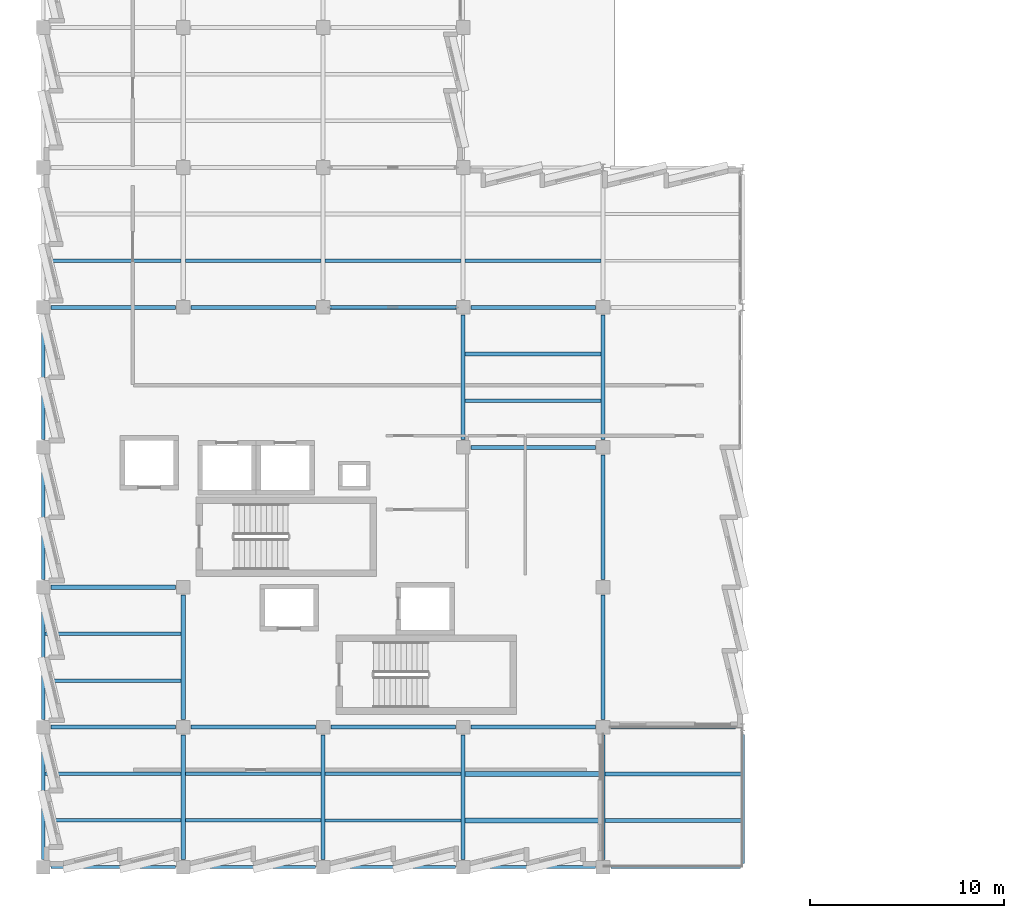
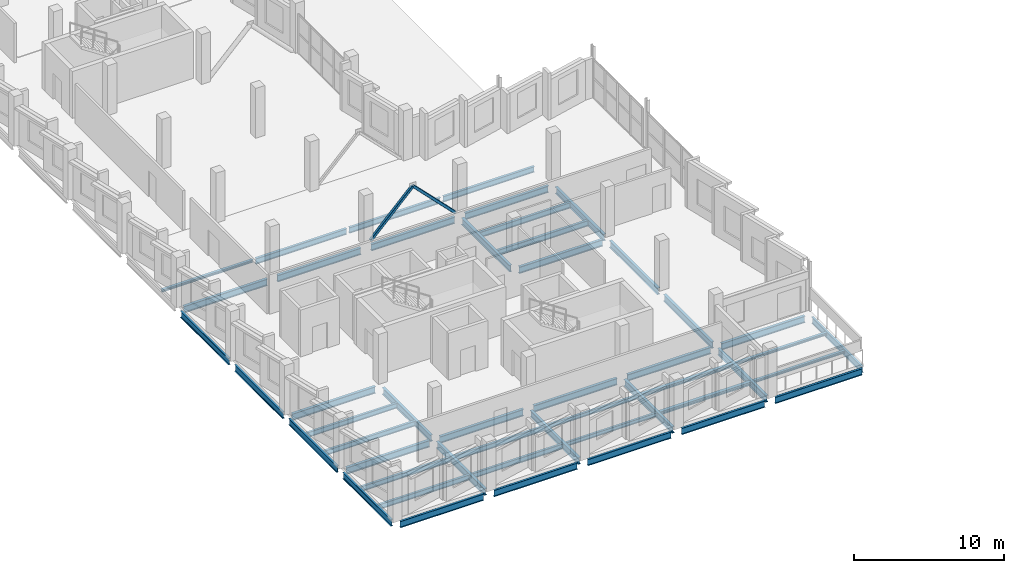
# One storey, part 10 of 38: 48 beams, 2 members.
"""IFC4 building model written with IfcOpenShell, lengths in metres."""

from ifc_helpers import new_model, si_unit, direction, frame, origin, origin_2d, place, context, subcontext, project, spatial, hollow_rectangle, i_section, extrude, material, material_profile, profile_set, type_object, element, save


model = new_model("IFC4")

# Units and contexts
model_context = context("Model", 3, precision=1e-05, world=origin(), true_north=direction((0.0, 1.0)))
body_context = subcontext(model_context, "Body", "Model", "MODEL_VIEW")
ifc_project = project(units=[si_unit("LENGTHUNIT", "METRE"), si_unit("AREAUNIT", "SQUARE_METRE"), si_unit("VOLUMEUNIT", "CUBIC_METRE"), si_unit("PLANEANGLEUNIT", "RADIAN"), si_unit("MASSUNIT", "GRAM", prefix="KILO")], contexts=[model_context])

# Site, building, storey
site_placement = place(None, origin())
site = spatial("IfcSite", under=ifc_project, at=site_placement, CompositionType="ELEMENT")
building_placement = place(site_placement, origin())
building = spatial("IfcBuilding", under=site, at=building_placement, Name="Kalmorath City Hall", CompositionType="ELEMENT")
storey_placement = place(building_placement, frame((0.0, 0.0, 18.89990234375)))
storey = spatial("IfcBuildingStorey", under=building, at=storey_placement, Name="L04", CompositionType="ELEMENT", Elevation=18.89990234375)

# Beams
ifc_material_1 = material(Name="Steel ASTM A992 Grade 50", Category="steel")
ifc_material_profile_1 = material_profile(ifc_material_1, i_section(OverallWidth=0.177001953125, OverallDepth=0.403076171875, WebThickness=0.007568359375, FlangeThickness=0.010986328125, FilletRadius=0.012939453125, at=origin_2d()), Name="W16X36")
ifc_profile_set_1 = profile_set([ifc_material_profile_1], Name="Steel ASTM A992 Grade 50")
beam_type_1 = type_object("IfcBeamType", Name="Steel composite joist W16X36", PredefinedType="JOIST", material=ifc_profile_set_1)
for number, where, z_axis, x_axis, name in (
    (1, (0.08251953125, 9.60009765625, -0.495361328125), (1.0, 0.0, 0.0), (0.0, 1.0, 0.0), "L04 joist SJ7 1.2.1"),
    (2, (0.08251953125, 12.0, -0.495361328125), (1.0, 0.0, 0.0), (0.0, 1.0, 0.0), "L04 joist SJ7 1.2.2"),
):
    element("IfcBeam", number, at=place(storey_placement, frame(where, z_axis=z_axis, x_axis=x_axis)), inside=storey, type_object=beam_type_1, Name=name, PredefinedType="JOIST", context=body_context, shape_type="SweptSolid", body=[
        extrude(i_section(OverallWidth=0.177001953125, OverallDepth=0.403076171875, WebThickness=0.007568359375, FlangeThickness=0.010986328125, FilletRadius=0.012939453125, at=origin_2d()), origin(), (0.0, 0.0, 1.0), 7.011962890625),
    ])
for number, where, z_axis, x_axis, name in (
    (3, (7.305419921875, 2.39990234375, -0.495361328125), (1.0, 0.0, 0.0), (0.0, 1.0, 0.0), "L04 joist SJ7 2.1.1"),
    (4, (7.305419921875, 4.800048828125, -0.495361328125), (1.0, 0.0, 0.0), (0.0, 1.0, 0.0), "L04 joist SJ7 2.1.2"),
):
    element("IfcBeam", number, at=place(storey_placement, frame(where, z_axis=z_axis, x_axis=x_axis)), inside=storey, type_object=beam_type_1, Name=name, PredefinedType="JOIST", context=body_context, shape_type="SweptSolid", body=[
        extrude(i_section(OverallWidth=0.177001953125, OverallDepth=0.403076171875, WebThickness=0.007568359375, FlangeThickness=0.010986328125, FilletRadius=0.012939453125, at=origin_2d()), origin(), (0.0, 0.0, 1.0), 6.989013671875),
    ])
ifc_material_2 = material(Name="Steel ASTM A992 Grade 50", Category="steel")
ifc_material_profile_2 = material_profile(ifc_material_2, i_section(OverallWidth=0.178955078125, OverallDepth=0.409912109375, WebThickness=0.0087890625, FlangeThickness=0.014404296875, FilletRadius=0.012939453125, at=origin_2d()), Name="W16X45")
ifc_profile_set_2 = profile_set([ifc_material_profile_2], Name="Steel ASTM A992 Grade 50")
beam_type_2 = type_object("IfcBeamType", Name="Steel composite joist W16X45", PredefinedType="JOIST", material=ifc_profile_set_2)
for number, where, z_axis, x_axis, name in (
    (5, (0.08251953125, 2.39990234375, -0.4990234375), (1.0, 0.0, 0.0), (0.0, 1.0, 0.0), "L04 joist SJ6 1.1.1"),
    (6, (0.08251953125, 4.800048828125, -0.4990234375), (1.0, 0.0, 0.0), (0.0, 1.0, 0.0), "L04 joist SJ6 1.1.2"),
):
    element("IfcBeam", number, at=place(storey_placement, frame(where, z_axis=z_axis, x_axis=x_axis)), inside=storey, type_object=beam_type_2, Name=name, PredefinedType="JOIST", context=body_context, shape_type="SweptSolid", body=[
        extrude(i_section(OverallWidth=0.178955078125, OverallDepth=0.409912109375, WebThickness=0.0087890625, FlangeThickness=0.014404296875, FilletRadius=0.012939453125, at=origin_2d()), origin(), (0.0, 0.0, 1.0), 7.011962890625),
    ])
ifc_material_3 = material(Name="Steel ASTM A992 Grade 50", Category="steel")
ifc_material_profile_3 = material_profile(ifc_material_3, i_section(OverallWidth=0.19091796875, OverallDepth=0.45703125, WebThickness=0.009033203125, FlangeThickness=0.014404296875, FilletRadius=0.013916015625, at=origin_2d()), Name="W18X50")
ifc_profile_set_3 = profile_set([ifc_material_profile_3], Name="Steel ASTM A992 Grade 50")
beam_type_3 = type_object("IfcBeamType", Name="Steel composite joist W18X50", PredefinedType="JOIST", material=ifc_profile_set_3)
beam_1_placement = place(storey_placement, frame((21.70556640625, 31.199951171875, -0.5224609375), z_axis=(1.0, 0.0, 0.0), x_axis=(0.0, 1.0, 0.0)))
element("IfcBeam", 7, at=beam_1_placement, inside=storey, type_object=beam_type_3, Name="L04 joist SJ3 4.5.1", PredefinedType="JOIST", context=body_context, shape_type="SweptSolid", body=[
    extrude(i_section(OverallWidth=0.19091796875, OverallDepth=0.45703125, WebThickness=0.009033203125, FlangeThickness=0.014404296875, FilletRadius=0.013916015625, at=origin_2d()), origin(), (0.0, 0.0, 1.0), 6.989013671875),
])
ifc_material_4 = material(Name="Steel ASTM A992 Grade 50", Category="steel")
ifc_material_profile_4 = material_profile(ifc_material_4, i_section(OverallWidth=0.19091796875, OverallDepth=0.4599609375, WebThickness=0.010009765625, FlangeThickness=0.01611328125, FilletRadius=0.013916015625, at=origin_2d()), Name="W18X55")
ifc_profile_set_4 = profile_set([ifc_material_profile_4], Name="Steel ASTM A992 Grade 50")
beam_type_4 = type_object("IfcBeamType", Name="Steel composite joist W18X55", PredefinedType="JOIST", material=ifc_profile_set_4)
beam_2_placement = place(storey_placement, frame((14.505615234375, 31.199951171875, -0.52392578125), z_axis=(1.0, 0.0, 0.0), x_axis=(0.0, 1.0, 0.0)))
element("IfcBeam", 8, at=beam_2_placement, inside=storey, type_object=beam_type_4, Name="L04 joist SJ2 3.5.1", PredefinedType="JOIST", context=body_context, shape_type="SweptSolid", body=[
    extrude(i_section(OverallWidth=0.19091796875, OverallDepth=0.4599609375, WebThickness=0.010009765625, FlangeThickness=0.01611328125, FilletRadius=0.013916015625, at=origin_2d()), origin(), (0.0, 0.0, 1.0), 6.98876953125),
])
for number, where, z_axis, x_axis, name in (
    (9, (21.70556640625, 24.0, -0.52392578125), (1.0, 0.0, 0.0), (0.0, 1.0, 0.0), "L04 joist SJ2 4.4.1"),
    (10, (21.70556640625, 26.39990234375, -0.52392578125), (1.0, 0.0, 0.0), (0.0, 1.0, 0.0), "L04 joist SJ2 4.4.2"),
):
    element("IfcBeam", number, at=place(storey_placement, frame(where, z_axis=z_axis, x_axis=x_axis)), inside=storey, type_object=beam_type_4, Name=name, PredefinedType="JOIST", context=body_context, shape_type="SweptSolid", body=[
        extrude(i_section(OverallWidth=0.19091796875, OverallDepth=0.4599609375, WebThickness=0.010009765625, FlangeThickness=0.01611328125, FilletRadius=0.013916015625, at=origin_2d()), origin(), (0.0, 0.0, 1.0), 6.989013671875),
    ])
ifc_material_5 = material(Name="Steel ASTM A992 Grade 50", Category="steel")
ifc_material_profile_5 = material_profile(ifc_material_5, i_section(OverallWidth=0.193115234375, OverallDepth=0.466064453125, WebThickness=0.011474609375, FlangeThickness=0.01904296875, FilletRadius=0.013916015625, at=origin_2d()), Name="W18X65")
ifc_profile_set_5 = profile_set([ifc_material_profile_5], Name="Steel ASTM A992 Grade 50")
beam_type_5 = type_object("IfcBeamType", Name="Steel composite joist W18X65", PredefinedType="JOIST", material=ifc_profile_set_5)
beam_3_placement = place(storey_placement, frame((7.305419921875, 31.199951171875, -0.52685546875), z_axis=(1.0, 0.0, 0.0), x_axis=(0.0, 1.0, 0.0)))
element("IfcBeam", 11, at=beam_3_placement, inside=storey, type_object=beam_type_5, Name="L04 joist SJ1 2.5.1", PredefinedType="JOIST", context=body_context, shape_type="SweptSolid", body=[
    extrude(i_section(OverallWidth=0.193115234375, OverallDepth=0.466064453125, WebThickness=0.011474609375, FlangeThickness=0.01904296875, FilletRadius=0.013916015625, at=origin_2d()), origin(), (0.0, 0.0, 1.0), 6.989013671875),
])
ifc_material_6 = material(Name="Steel ASTM A992 Grade 50", Category="steel")
ifc_material_profile_6 = material_profile(ifc_material_6, i_section(OverallWidth=0.202880859375, OverallDepth=0.202880859375, WebThickness=0.007080078125, FlangeThickness=0.010986328125, FilletRadius=0.010986328125, at=origin_2d()), Name="W8X31")
ifc_profile_set_6 = profile_set([ifc_material_profile_6], Name="Steel ASTM A992 Grade 50")
beam_type_6 = type_object("IfcBeamType", Name="Steel edge trimmer W8X31", PredefinedType="LINTEL", material=ifc_profile_set_6)
for number, where, z_axis, x_axis, name in (
    (12, (0.08251953125, 31.199951171875, -0.3955078125), (1.0, 0.0, 0.0), (0.0, 1.0, 0.0), "L04 joist SJ16 1.5.1"),
    (13, (28.905517578125, 2.39990234375, -0.3955078125), (1.0, 0.0, 0.0), (0.0, 1.0, 0.0), "L04 joist SJ16 5.1.1"),
    (14, (28.905517578125, 4.800048828125, -0.3955078125), (1.0, 0.0, 0.0), (0.0, 1.0, 0.0), "L04 joist SJ16 5.1.2"),
):
    element("IfcBeam", number, at=place(storey_placement, frame(where, z_axis=z_axis, x_axis=x_axis)), inside=storey, type_object=beam_type_6, Name=name, PredefinedType="LINTEL", context=body_context, shape_type="SweptSolid", body=[
        extrude(i_section(OverallWidth=0.202880859375, OverallDepth=0.202880859375, WebThickness=0.007080078125, FlangeThickness=0.010986328125, FilletRadius=0.010986328125, at=origin_2d()), origin(), (0.0, 0.0, 1.0), 7.011962890625),
    ])
ifc_material_7 = material(Name="Steel ASTM A992 Grade 50", Category="steel")
ifc_material_profile_7 = material_profile(ifc_material_7, i_section(OverallWidth=0.2109375, OverallDepth=0.5390625, WebThickness=0.01171875, FlangeThickness=0.018798828125, FilletRadius=0.014892578125, at=origin_2d()), Name="W21X73")
ifc_profile_set_7 = profile_set([ifc_material_profile_7], Name="Steel ASTM A992 Grade 50")
beam_type_7 = type_object("IfcBeamType", Name="Steel floor beam W21X73", PredefinedType="BEAM", material=ifc_profile_set_7)
beam_4_placement = place(storey_placement, frame((0.39990234375, 7.199951171875, -0.5634765625), z_axis=(1.0, 0.0, 0.0), x_axis=(0.0, 1.0, 0.0)))
element("IfcBeam", 15, at=beam_4_placement, inside=storey, type_object=beam_type_7, Name="L04 girder SB1 X1-2/2", PredefinedType="BEAM", context=body_context, shape_type="SweptSolid", body=[
    extrude(i_section(OverallWidth=0.2109375, OverallDepth=0.5390625, WebThickness=0.01171875, FlangeThickness=0.018798828125, FilletRadius=0.014892578125, at=origin_2d()), origin(), (0.0, 0.0, 1.0), 6.400146484375),
])
for number, where, z_axis, x_axis, name in (
    (16, (7.60009765625, 7.199951171875, -0.5634765625), (1.0, 0.0, 0.0), (0.0, 1.0, 0.0), "L04 girder SB1 X2-3/2"),
    (17, (14.800048828125, 7.199951171875, -0.5634765625), (1.0, 0.0, 0.0), (0.0, 1.0, 0.0), "L04 girder SB1 X3-4/2"),
    (18, (22.0, 7.199951171875, -0.5634765625), (1.0, 0.0, 0.0), (0.0, 1.0, 0.0), "L04 girder SB1 X4-5/2"),
):
    element("IfcBeam", number, at=place(storey_placement, frame(where, z_axis=z_axis, x_axis=x_axis)), inside=storey, type_object=beam_type_7, Name=name, PredefinedType="BEAM", context=body_context, shape_type="SweptSolid", body=[
        extrude(i_section(OverallWidth=0.2109375, OverallDepth=0.5390625, WebThickness=0.01171875, FlangeThickness=0.018798828125, FilletRadius=0.014892578125, at=origin_2d()), origin(), (0.0, 0.0, 1.0), 6.39990234375),
    ])
beam_5_placement = place(storey_placement, frame((29.199951171875, 7.199951171875, -0.5634765625), z_axis=(1.0, 0.0, 0.0), x_axis=(0.0, 1.0, 0.0)))
element("IfcBeam", 19, at=beam_5_placement, inside=storey, type_object=beam_type_7, Name="L04 girder SB1 X5-6/2", PredefinedType="BEAM", context=body_context, shape_type="SweptSolid", body=[
    extrude(i_section(OverallWidth=0.2109375, OverallDepth=0.5390625, WebThickness=0.01171875, FlangeThickness=0.018798828125, FilletRadius=0.014892578125, at=origin_2d()), origin(), (0.0, 0.0, 1.0), 6.425048828125),
])
beam_6_placement = place(storey_placement, frame((0.39990234375, 14.39990234375, -0.5634765625), z_axis=(1.0, 0.0, 0.0), x_axis=(0.0, 1.0, 0.0)))
element("IfcBeam", 20, at=beam_6_placement, inside=storey, type_object=beam_type_7, Name="L04 girder SB1 X1-2/3", PredefinedType="BEAM", context=body_context, shape_type="SweptSolid", body=[
    extrude(i_section(OverallWidth=0.2109375, OverallDepth=0.5390625, WebThickness=0.01171875, FlangeThickness=0.018798828125, FilletRadius=0.014892578125, at=origin_2d()), origin(), (0.0, 0.0, 1.0), 6.400146484375),
])
beam_7_placement = place(storey_placement, frame((22.0, 21.60009765625, -0.5634765625), z_axis=(1.0, 0.0, 0.0), x_axis=(0.0, 1.0, 0.0)))
element("IfcBeam", 21, at=beam_7_placement, inside=storey, type_object=beam_type_7, Name="L04 girder SB1 X4-5/4", PredefinedType="BEAM", context=body_context, shape_type="SweptSolid", body=[
    extrude(i_section(OverallWidth=0.2109375, OverallDepth=0.5390625, WebThickness=0.01171875, FlangeThickness=0.018798828125, FilletRadius=0.014892578125, at=origin_2d()), origin(), (0.0, 0.0, 1.0), 6.39990234375),
])
beam_8_placement = place(storey_placement, frame((0.39990234375, 28.800048828125, -0.5634765625), z_axis=(1.0, 0.0, 0.0), x_axis=(0.0, 1.0, 0.0)))
element("IfcBeam", 22, at=beam_8_placement, inside=storey, type_object=beam_type_7, Name="L04 girder SB1 X1-2/5", PredefinedType="BEAM", context=body_context, shape_type="SweptSolid", body=[
    extrude(i_section(OverallWidth=0.2109375, OverallDepth=0.5390625, WebThickness=0.01171875, FlangeThickness=0.018798828125, FilletRadius=0.014892578125, at=origin_2d()), origin(), (0.0, 0.0, 1.0), 6.400146484375),
])
for number, where, z_axis, x_axis, name in (
    (23, (7.60009765625, 28.800048828125, -0.5634765625), (1.0, 0.0, 0.0), (0.0, 1.0, 0.0), "L04 girder SB1 X2-3/5"),
    (24, (14.800048828125, 28.800048828125, -0.5634765625), (1.0, 0.0, 0.0), (0.0, 1.0, 0.0), "L04 girder SB1 X3-4/5"),
    (25, (22.0, 28.800048828125, -0.5634765625), (1.0, 0.0, 0.0), (0.0, 1.0, 0.0), "L04 girder SB1 X4-5/5"),
):
    element("IfcBeam", number, at=place(storey_placement, frame(where, z_axis=z_axis, x_axis=x_axis)), inside=storey, type_object=beam_type_7, Name=name, PredefinedType="BEAM", context=body_context, shape_type="SweptSolid", body=[
        extrude(i_section(OverallWidth=0.2109375, OverallDepth=0.5390625, WebThickness=0.01171875, FlangeThickness=0.018798828125, FilletRadius=0.014892578125, at=origin_2d()), origin(), (0.0, 0.0, 1.0), 6.39990234375),
    ])
beam_9_placement = place(storey_placement, frame((7.199951171875, 0.39990234375, -0.5634765625), z_axis=(0.0, 1.0, 0.0), x_axis=(-1.0, 0.0, 0.0)))
element("IfcBeam", 26, at=beam_9_placement, inside=storey, type_object=beam_type_7, Name="L04 girder SB1 Y2/1-2", PredefinedType="BEAM", context=body_context, shape_type="SweptSolid", body=[
    extrude(i_section(OverallWidth=0.2109375, OverallDepth=0.5390625, WebThickness=0.01171875, FlangeThickness=0.018798828125, FilletRadius=0.014892578125, at=origin_2d()), origin(), (0.0, 0.0, 1.0), 6.400146484375),
])
beam_10_placement = place(storey_placement, frame((7.199951171875, 7.60009765625, -0.5634765625), z_axis=(0.0, 1.0, 0.0), x_axis=(-1.0, 0.0, 0.0)))
element("IfcBeam", 27, at=beam_10_placement, inside=storey, type_object=beam_type_7, Name="L04 girder SB1 Y2/2-3", PredefinedType="BEAM", context=body_context, shape_type="SweptSolid", body=[
    extrude(i_section(OverallWidth=0.2109375, OverallDepth=0.5390625, WebThickness=0.01171875, FlangeThickness=0.018798828125, FilletRadius=0.014892578125, at=origin_2d()), origin(), (0.0, 0.0, 1.0), 6.39990234375),
])
for number, where, z_axis, x_axis, name in (
    (28, (14.39990234375, 0.39990234375, -0.5634765625), (0.0, 1.0, 0.0), (-1.0, 0.0, 0.0), "L04 girder SB1 Y3/1-2"),
    (29, (21.60009765625, 0.39990234375, -0.5634765625), (0.0, 1.0, 0.0), (-1.0, 0.0, 0.0), "L04 girder SB1 Y4/1-2"),
):
    element("IfcBeam", number, at=place(storey_placement, frame(where, z_axis=z_axis, x_axis=x_axis)), inside=storey, type_object=beam_type_7, Name=name, PredefinedType="BEAM", context=body_context, shape_type="SweptSolid", body=[
        extrude(i_section(OverallWidth=0.2109375, OverallDepth=0.5390625, WebThickness=0.01171875, FlangeThickness=0.018798828125, FilletRadius=0.014892578125, at=origin_2d()), origin(), (0.0, 0.0, 1.0), 6.400146484375),
    ])
beam_11_placement = place(storey_placement, frame((21.60009765625, 22.0, -0.5634765625), z_axis=(0.0, 1.0, 0.0), x_axis=(-1.0, 0.0, 0.0)))
element("IfcBeam", 30, at=beam_11_placement, inside=storey, type_object=beam_type_7, Name="L04 girder SB1 Y4/4-5", PredefinedType="BEAM", context=body_context, shape_type="SweptSolid", body=[
    extrude(i_section(OverallWidth=0.2109375, OverallDepth=0.5390625, WebThickness=0.01171875, FlangeThickness=0.018798828125, FilletRadius=0.014892578125, at=origin_2d()), origin(), (0.0, 0.0, 1.0), 6.39990234375),
])
beam_12_placement = place(storey_placement, frame((28.800048828125, 0.39990234375, -0.5634765625), z_axis=(0.0, 1.0, 0.0), x_axis=(-1.0, 0.0, 0.0)))
element("IfcBeam", 31, at=beam_12_placement, inside=storey, type_object=beam_type_7, Name="L04 girder SB1 Y5/1-2", PredefinedType="BEAM", context=body_context, shape_type="SweptSolid", body=[
    extrude(i_section(OverallWidth=0.2109375, OverallDepth=0.5390625, WebThickness=0.01171875, FlangeThickness=0.018798828125, FilletRadius=0.014892578125, at=origin_2d()), origin(), (0.0, 0.0, 1.0), 6.400146484375),
])
for number, where, z_axis, x_axis, name in (
    (32, (28.800048828125, 7.60009765625, -0.5634765625), (0.0, 1.0, 0.0), (-1.0, 0.0, 0.0), "L04 girder SB1 Y5/2-3"),
    (33, (28.800048828125, 14.800048828125, -0.5634765625), (0.0, 1.0, 0.0), (-1.0, 0.0, 0.0), "L04 girder SB1 Y5/3-4"),
    (34, (28.800048828125, 22.0, -0.5634765625), (0.0, 1.0, 0.0), (-1.0, 0.0, 0.0), "L04 girder SB1 Y5/4-5"),
):
    element("IfcBeam", number, at=place(storey_placement, frame(where, z_axis=z_axis, x_axis=x_axis)), inside=storey, type_object=beam_type_7, Name=name, PredefinedType="BEAM", context=body_context, shape_type="SweptSolid", body=[
        extrude(i_section(OverallWidth=0.2109375, OverallDepth=0.5390625, WebThickness=0.01171875, FlangeThickness=0.018798828125, FilletRadius=0.014892578125, at=origin_2d()), origin(), (0.0, 0.0, 1.0), 6.39990234375),
    ])
ifc_material_8 = material(Name="Steel ASTM A992 Grade 50", Category="steel")
ifc_material_profile_8 = material_profile(ifc_material_8, i_section(OverallWidth=0.1669921875, OverallDepth=0.318115234375, WebThickness=0.007568359375, FlangeThickness=0.01318359375, FilletRadius=0.012939453125, at=origin_2d()), Name="W12X35")
ifc_profile_set_8 = profile_set([ifc_material_profile_8], Name="Steel ASTM A992 Grade 50")
beam_type_8 = type_object("IfcBeamType", Name="Steel header lintel W12X35", PredefinedType="LINTEL", material=ifc_profile_set_8)
for number, where, z_axis, x_axis, name in (
    (35, (14.505615234375, 2.39990234375, -0.452880859375), (1.0, 0.0, 0.0), (0.0, 1.0, 0.0), "L04 joist SJ13 3.1.1"),
    (36, (14.505615234375, 4.800048828125, -0.452880859375), (1.0, 0.0, 0.0), (0.0, 1.0, 0.0), "L04 joist SJ13 3.1.2"),
):
    element("IfcBeam", number, at=place(storey_placement, frame(where, z_axis=z_axis, x_axis=x_axis)), inside=storey, type_object=beam_type_8, Name=name, PredefinedType="LINTEL", context=body_context, shape_type="SweptSolid", body=[
        extrude(i_section(OverallWidth=0.1669921875, OverallDepth=0.318115234375, WebThickness=0.007568359375, FlangeThickness=0.01318359375, FilletRadius=0.012939453125, at=origin_2d()), origin(), (0.0, 0.0, 1.0), 6.98876953125),
    ])

# Members
ifc_material_9 = material(Name="Steel ASTM A500 Grade C", Category="steel")
ifc_material_profile_9 = material_profile(ifc_material_9, hollow_rectangle(XDim=0.202880859375, YDim=0.202880859375, WallThickness=0.01171875, InnerFilletRadius=0.01171875, OuterFilletRadius=0.023681640625, at=origin_2d()), Name="HSS203X203X12.7")
ifc_profile_set_9 = profile_set([ifc_material_profile_9], Name="Steel ASTM A500 Grade C")
member_type = type_object("IfcMemberType", Name="Steel seismic chevron brace HSS203X203X12.7", PredefinedType="BRACE", material=ifc_profile_set_9)
for number, where, z_axis, x_axis, name in (
    (37, (14.75, 28.800048828125, 0.0), (0.701683305053, 0.0, 0.71248897494), (0.0, 1.0, 0.0), "L04 chevron brace BR2 1A"),
    (38, (21.25, 28.800048828125, 0.0), (-0.701683305053, 0.0, 0.71248897494), (0.0, -1.0, 0.0), "L04 chevron brace BR2 1B"),
):
    element("IfcMember", number, at=place(storey_placement, frame(where, z_axis=z_axis, x_axis=x_axis)), inside=storey, type_object=member_type, Name=name, PredefinedType="BRACE", context=body_context, shape_type="SweptSolid", body=[
        extrude(hollow_rectangle(XDim=0.202880859375, YDim=0.202880859375, WallThickness=0.01171875, InnerFilletRadius=0.01171875, OuterFilletRadius=0.023681640625, at=origin_2d()), origin(), (0.0, 0.0, 1.0), 4.6318359375),
    ])

# Beams
ifc_material_10 = material(Name="Steel ASTM A992 Grade 50", Category="steel")
ifc_material_profile_10 = material_profile(ifc_material_10, i_section(OverallWidth=0.1650390625, OverallDepth=0.52490234375, WebThickness=0.0087890625, FlangeThickness=0.011474609375, FilletRadius=0.014892578125, at=origin_2d()), Name="W21X44")
ifc_profile_set_10 = profile_set([ifc_material_profile_10], Name="Steel ASTM A992 Grade 50")
beam_type_9 = type_object("IfcBeamType", Name="Steel spandrel beam W21X44", PredefinedType="SPANDREL", material=ifc_profile_set_10)
beam_13_placement = place(storey_placement, frame((0.39990234375, 0.0, -0.556396484375), z_axis=(1.0, 0.0, 0.0), x_axis=(0.0, 1.0, 0.0)))
element("IfcBeam", 39, at=beam_13_placement, inside=storey, type_object=beam_type_9, Name="L04 girder SB4 X1-2/1", PredefinedType="SPANDREL", context=body_context, shape_type="SweptSolid", body=[
    extrude(i_section(OverallWidth=0.1650390625, OverallDepth=0.52490234375, WebThickness=0.0087890625, FlangeThickness=0.011474609375, FilletRadius=0.014892578125, at=origin_2d()), origin(), (0.0, 0.0, 1.0), 6.400146484375),
])
for number, where, z_axis, x_axis, name in (
    (40, (7.60009765625, 0.0, -0.556396484375), (1.0, 0.0, 0.0), (0.0, 1.0, 0.0), "L04 girder SB4 X2-3/1"),
    (41, (14.800048828125, 0.0, -0.556396484375), (1.0, 0.0, 0.0), (0.0, 1.0, 0.0), "L04 girder SB4 X3-4/1"),
    (42, (22.0, 0.0, -0.556396484375), (1.0, 0.0, 0.0), (0.0, 1.0, 0.0), "L04 girder SB4 X4-5/1"),
):
    element("IfcBeam", number, at=place(storey_placement, frame(where, z_axis=z_axis, x_axis=x_axis)), inside=storey, type_object=beam_type_9, Name=name, PredefinedType="SPANDREL", context=body_context, shape_type="SweptSolid", body=[
        extrude(i_section(OverallWidth=0.1650390625, OverallDepth=0.52490234375, WebThickness=0.0087890625, FlangeThickness=0.011474609375, FilletRadius=0.014892578125, at=origin_2d()), origin(), (0.0, 0.0, 1.0), 6.39990234375),
    ])
beam_14_placement = place(storey_placement, frame((29.199951171875, 0.0, -0.556396484375), z_axis=(1.0, 0.0, 0.0), x_axis=(0.0, 1.0, 0.0)))
element("IfcBeam", 43, at=beam_14_placement, inside=storey, type_object=beam_type_9, Name="L04 girder SB4 X5-6/1", PredefinedType="SPANDREL", context=body_context, shape_type="SweptSolid", body=[
    extrude(i_section(OverallWidth=0.1650390625, OverallDepth=0.52490234375, WebThickness=0.0087890625, FlangeThickness=0.011474609375, FilletRadius=0.014892578125, at=origin_2d()), origin(), (0.0, 0.0, 1.0), 6.673095703125),
])
beam_15_placement = place(storey_placement, frame((0.0, 0.39990234375, -0.556396484375), z_axis=(0.0, 1.0, 0.0), x_axis=(-1.0, 0.0, 0.0)))
element("IfcBeam", 44, at=beam_15_placement, inside=storey, type_object=beam_type_9, Name="L04 girder SB4 Y1/1-2", PredefinedType="SPANDREL", context=body_context, shape_type="SweptSolid", body=[
    extrude(i_section(OverallWidth=0.1650390625, OverallDepth=0.52490234375, WebThickness=0.0087890625, FlangeThickness=0.011474609375, FilletRadius=0.014892578125, at=origin_2d()), origin(), (0.0, 0.0, 1.0), 6.400146484375),
])
for number, where, z_axis, x_axis, name in (
    (45, (0.0, 7.60009765625, -0.556396484375), (0.0, 1.0, 0.0), (-1.0, 0.0, 0.0), "L04 girder SB4 Y1/2-3"),
    (46, (0.0, 14.800048828125, -0.556396484375), (0.0, 1.0, 0.0), (-1.0, 0.0, 0.0), "L04 girder SB4 Y1/3-4"),
    (47, (0.0, 22.0, -0.556396484375), (0.0, 1.0, 0.0), (-1.0, 0.0, 0.0), "L04 girder SB4 Y1/4-5"),
):
    element("IfcBeam", number, at=place(storey_placement, frame(where, z_axis=z_axis, x_axis=x_axis)), inside=storey, type_object=beam_type_9, Name=name, PredefinedType="SPANDREL", context=body_context, shape_type="SweptSolid", body=[
        extrude(i_section(OverallWidth=0.1650390625, OverallDepth=0.52490234375, WebThickness=0.0087890625, FlangeThickness=0.011474609375, FilletRadius=0.014892578125, at=origin_2d()), origin(), (0.0, 0.0, 1.0), 6.39990234375),
    ])
beam_16_placement = place(storey_placement, frame((36.0, 0.176513671875, -0.556396484375), z_axis=(0.0, 1.0, 0.0), x_axis=(-1.0, 0.0, 0.0)))
element("IfcBeam", 48, at=beam_16_placement, inside=storey, type_object=beam_type_9, Name="L04 girder SB4 Y6/1-2", PredefinedType="SPANDREL", context=body_context, shape_type="SweptSolid", body=[
    extrude(i_section(OverallWidth=0.1650390625, OverallDepth=0.52490234375, WebThickness=0.0087890625, FlangeThickness=0.011474609375, FilletRadius=0.014892578125, at=origin_2d()), origin(), (0.0, 0.0, 1.0), 6.6484375),
])
ifc_material_11 = material(Name="Steel ASTM A992 Grade 50", Category="steel")
ifc_material_profile_11 = material_profile(ifc_material_11, i_section(OverallWidth=0.25390625, OverallDepth=0.2529296875, WebThickness=0.008544921875, FlangeThickness=0.01416015625, FilletRadius=0.011962890625, at=origin_2d()), Name="W10X49")
ifc_profile_set_11 = profile_set([ifc_material_profile_11], Name="Steel ASTM A992 Grade 50")
beam_type_10 = type_object("IfcBeamType", Name="Steel trimmer beam W10X49", PredefinedType="BEAM", material=ifc_profile_set_11)
for number, where, z_axis, x_axis, name in (
    (49, (21.70556640625, 2.39990234375, -0.42041015625), (1.0, 0.0, 0.0), (0.0, 1.0, 0.0), "L04 joist SJ14 4.1.1"),
    (50, (21.70556640625, 4.800048828125, -0.42041015625), (1.0, 0.0, 0.0), (0.0, 1.0, 0.0), "L04 joist SJ14 4.1.2"),
):
    element("IfcBeam", number, at=place(storey_placement, frame(where, z_axis=z_axis, x_axis=x_axis)), inside=storey, type_object=beam_type_10, Name=name, PredefinedType="BEAM", context=body_context, shape_type="SweptSolid", body=[
        extrude(i_section(OverallWidth=0.25390625, OverallDepth=0.2529296875, WebThickness=0.008544921875, FlangeThickness=0.01416015625, FilletRadius=0.011962890625, at=origin_2d()), origin(), (0.0, 0.0, 1.0), 6.989013671875),
    ])

save(model, "model.ifc")
